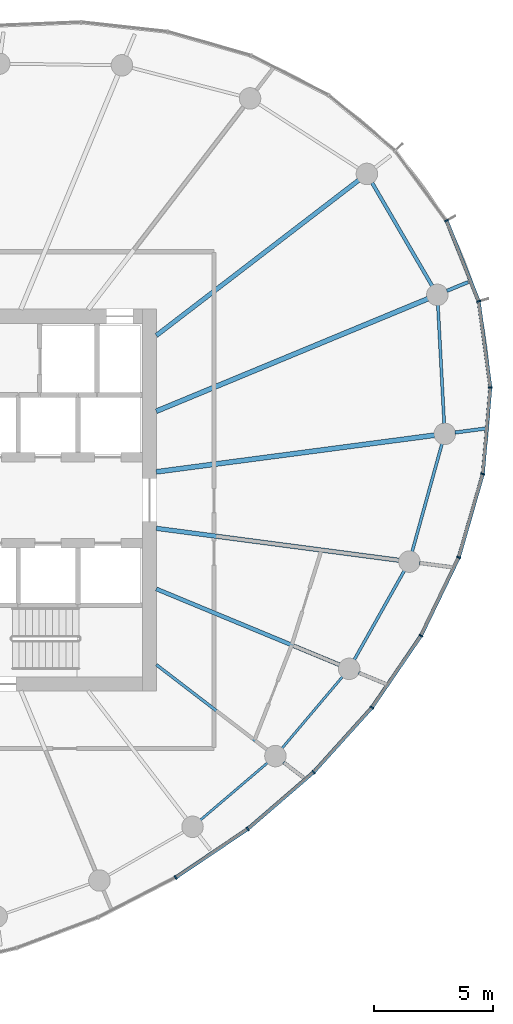
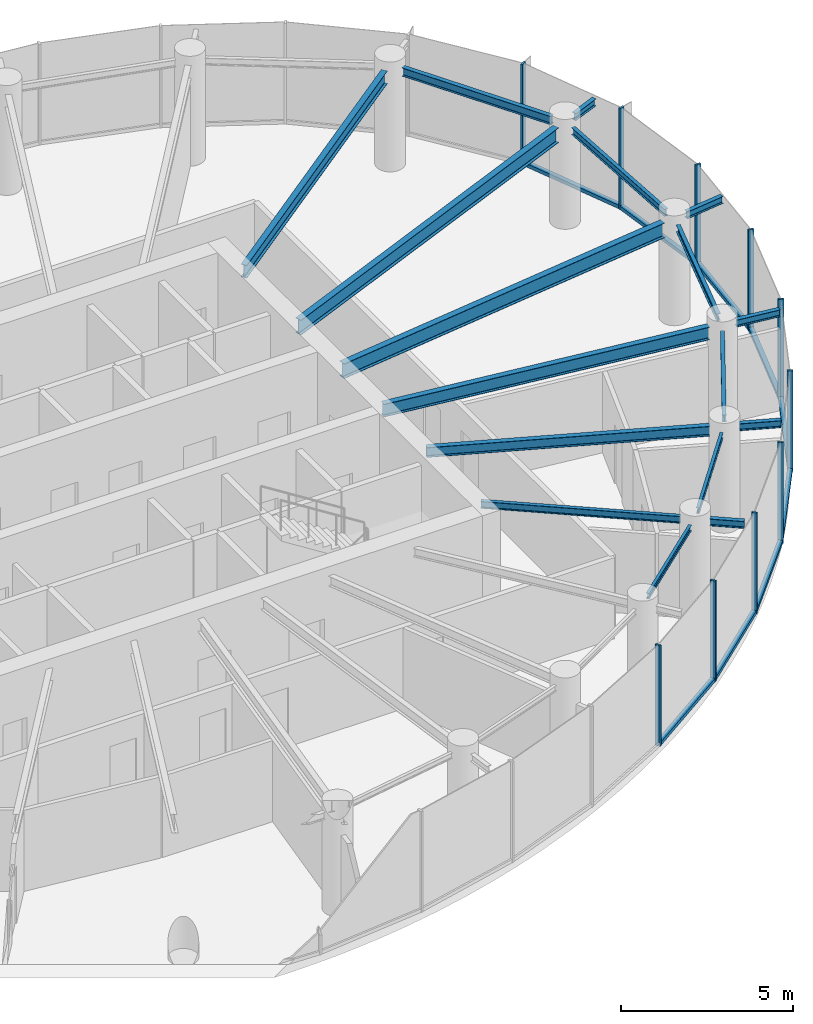
# One storey, part 5 of 13: 19 members, 17 beams, 3 elements without a shape of their own.
"""IFC4 building model written with IfcOpenShell, lengths in metres."""

from ifc_helpers import new_model, si_unit, direction, frame, origin, origin_2d, place, context, subcontext, project, spatial, rectangle, i_section, extrude, source, transform, mapped, material, layer, layer_set, material_profile, profile_set, type_object, element, aggregate, save


model = new_model("IFC4")

# Units and contexts
model_context = context("Model", 3, precision=1e-05, world=origin(), true_north=direction((0.0, 1.0)))
body_context = subcontext(model_context, "Body", "Model", "MODEL_VIEW")
ifc_project = project(units=[si_unit("LENGTHUNIT", "METRE"), si_unit("AREAUNIT", "SQUARE_METRE"), si_unit("VOLUMEUNIT", "CUBIC_METRE"), si_unit("PLANEANGLEUNIT", "RADIAN"), si_unit("MASSUNIT", "GRAM", prefix="KILO")], contexts=[model_context])

# Site, building, storey
site_placement = place(None, origin())
site = spatial("IfcSite", under=ifc_project, at=site_placement, CompositionType="ELEMENT")
building_placement = place(site_placement, origin())
building = spatial("IfcBuilding", under=site, at=building_placement, Name="Spindrift Exchange Tower", CompositionType="ELEMENT")
storey_placement = place(building_placement, frame((0.0, 0.0, 218.89990234375)))
storey = spatial("IfcBuildingStorey", under=building, at=storey_placement, Name="L53", CompositionType="ELEMENT", Elevation=218.89990234375)

# Beams
ifc_material_1 = material(Name="Steel Grade 300", Category="steel")
ifc_material_profile_1 = material_profile(ifc_material_1, i_section(OverallWidth=0.208984375, OverallDepth=0.528076171875, WebThickness=0.009521484375, FlangeThickness=0.01318359375, FilletRadius=0.013916015625, at=origin_2d()), Name="530UB82.0")
ifc_profile_set_1 = profile_set([ifc_material_profile_1], Name="Steel Grade 300")
beam_type_1 = type_object("IfcBeamType", Name="Floor Beam 530UB82.0 Steel Grade 300", PredefinedType="BEAM", material=ifc_profile_set_1)
shared_shape_1 = source(origin(), body_context, "Body", "SweptSolid", [
    extrude(i_section(OverallWidth=0.208984375, OverallDepth=0.528076171875, WebThickness=0.009521484375, FlangeThickness=0.01318359375, FilletRadius=0.013916015625, at=origin_2d()), origin(), (0.0, 0.0, 1.0), 11.75634765625),
])
beam_1_placement = place(storey_placement, frame((60.980224609375, 49.182373046875, 3.316162109375), z_axis=(0.991445811455, 0.13051897543, 0.0), x_axis=(-0.13051897543, 0.991445811455, 0.0)))
element("IfcBeam", 1, at=beam_1_placement, inside=storey, type_object=beam_type_1, Name="L53 radial beam R01A", PredefinedType="BEAM", context=body_context, shape_type="MappedRepresentation", body=[
    mapped(shared_shape_1, transform((0.0, 0.0, 0.0), scale=1.0)),
])
shared_shape_2 = source(origin(), body_context, "Body", "SweptSolid", [
    extrude(i_section(OverallWidth=0.208984375, OverallDepth=0.528076171875, WebThickness=0.009521484375, FlangeThickness=0.01318359375, FilletRadius=0.013916015625, at=origin_2d()), origin(), (0.0, 0.0, 1.0), 12.3115234375),
])
beam_2_placement = place(storey_placement, frame((60.9814453125, 51.72021484375, 3.316162109375), z_axis=(0.923878099838, 0.382686891126, 0.0), x_axis=(-0.382686891126, 0.923878099838, 0.0)))
element("IfcBeam", 2, at=beam_2_placement, inside=storey, type_object=beam_type_1, Name="L53 radial beam R02A", PredefinedType="BEAM", context=body_context, shape_type="MappedRepresentation", body=[
    mapped(shared_shape_2, transform((0.0, 0.0, 0.0), scale=1.0)),
])
ifc_material_profile_2 = material_profile(ifc_material_1, i_section(OverallWidth=0.18994140625, OverallDepth=0.4541015625, WebThickness=0.008544921875, FlangeThickness=0.0126953125, FilletRadius=0.013916015625, at=origin_2d()), Name="460UB67.1")
ifc_profile_set_2 = profile_set([ifc_material_profile_2], Name="Steel Grade 300")
beam_type_2 = type_object("IfcBeamType", Name="Floor Beam 460UB67.1 Steel Grade 300", PredefinedType="BEAM", material=ifc_profile_set_2)
shared_shape_3 = source(origin(), body_context, "Body", "SweptSolid", [
    extrude(i_section(OverallWidth=0.18994140625, OverallDepth=0.4541015625, WebThickness=0.008544921875, FlangeThickness=0.0126953125, FilletRadius=0.013916015625, at=origin_2d()), origin(), (0.0, 0.0, 1.0), 10.684814453125),
])
beam_3_placement = place(storey_placement, frame((60.984130859375, 54.893798828125, 3.35302734375), z_axis=(0.793357316898, 0.608756246559, 0.0), x_axis=(-0.608756246559, 0.793357316898, 0.0)))
element("IfcBeam", 3, at=beam_3_placement, inside=storey, type_object=beam_type_2, Name="L53 radial beam R03A", PredefinedType="BEAM", context=body_context, shape_type="MappedRepresentation", body=[
    mapped(shared_shape_3, transform((0.0, 0.0, 0.0), scale=1.0)),
])
ifc_material_profile_3 = material_profile(ifc_material_1, i_section(OverallWidth=0.1240234375, OverallDepth=0.248046875, WebThickness=0.0048828125, FlangeThickness=0.008056640625, FilletRadius=0.011962890625, at=origin_2d()), Name="250UB25.7")
ifc_profile_set_3 = profile_set([ifc_material_profile_3], Name="Steel Grade 300")
beam_type_3 = type_object("IfcBeamType", Name="Floor Beam 250UB25.7 Steel Grade 300", PredefinedType="BEAM", material=ifc_profile_set_3)
shared_shape_4 = source(origin(), body_context, "Body", "SweptSolid", [
    extrude(i_section(OverallWidth=0.1240234375, OverallDepth=0.248046875, WebThickness=0.0048828125, FlangeThickness=0.008056640625, FilletRadius=0.011962890625, at=origin_2d()), origin(), (0.0, 0.0, 1.0), 5.855712890625),
])
beam_4_placement = place(storey_placement, frame((60.984130859375, 41.106201171875, 3.4560546875), z_axis=(0.793362708479, -0.608749219954, 0.0), x_axis=(0.608749219954, 0.793362708479, 0.0)))
element("IfcBeam", 4, at=beam_4_placement, inside=storey, type_object=beam_type_3, Name="L53 radial beam R22A", PredefinedType="BEAM", context=body_context, shape_type="MappedRepresentation", body=[
    mapped(shared_shape_4, transform((0.0, 0.0, 0.0), scale=1.0)),
])
ifc_material_profile_4 = material_profile(ifc_material_1, i_section(OverallWidth=0.1708984375, OverallDepth=0.35205078125, WebThickness=0.0068359375, FlangeThickness=0.009765625, FilletRadius=0.013916015625, at=origin_2d()), Name="360UB44.7")
ifc_profile_set_4 = profile_set([ifc_material_profile_4], Name="Steel Grade 300")
beam_type_4 = type_object("IfcBeamType", Name="Floor Beam 360UB44.7 Steel Grade 300", PredefinedType="BEAM", material=ifc_profile_set_4)
shared_shape_5 = source(origin(), body_context, "Body", "SweptSolid", [
    extrude(i_section(OverallWidth=0.1708984375, OverallDepth=0.35205078125, WebThickness=0.0068359375, FlangeThickness=0.009765625, FilletRadius=0.013916015625, at=origin_2d()), origin(), (0.0, 0.0, 1.0), 8.3134765625),
])
beam_5_placement = place(storey_placement, frame((60.9814453125, 44.27978515625, 3.404052734375), z_axis=(0.923881179957, -0.382679455055, 0.0), x_axis=(0.382679455055, 0.923881179957, 0.0)))
element("IfcBeam", 5, at=beam_5_placement, inside=storey, type_object=beam_type_4, Name="L53 radial beam R23A", PredefinedType="BEAM", context=body_context, shape_type="MappedRepresentation", body=[
    mapped(shared_shape_5, transform((0.0, 0.0, 0.0), scale=1.0)),
])
shared_shape_6 = source(origin(), body_context, "Body", "SweptSolid", [
    extrude(i_section(OverallWidth=0.18994140625, OverallDepth=0.4541015625, WebThickness=0.008544921875, FlangeThickness=0.0126953125, FilletRadius=0.013916015625, at=origin_2d()), origin(), (0.0, 0.0, 1.0), 10.262451171875),
])
beam_6_placement = place(storey_placement, frame((60.980224609375, 46.817626953125, 3.35302734375), z_axis=(0.991446763371, -0.130511744304, 0.0), x_axis=(0.130511744304, 0.991446763371, 0.0)))
element("IfcBeam", 6, at=beam_6_placement, inside=storey, type_object=beam_type_2, Name="L53 radial beam R24A", PredefinedType="BEAM", context=body_context, shape_type="MappedRepresentation", body=[
    mapped(shared_shape_6, transform((0.0, 0.0, 0.0), scale=1.0)),
])
ifc_material_profile_5 = material_profile(ifc_material_1, i_section(OverallWidth=0.1240234375, OverallDepth=0.248046875, WebThickness=0.0048828125, FlangeThickness=0.008056640625, FilletRadius=0.011962890625, at=origin_2d()), Name="250UB25.7")
ifc_profile_set_5 = profile_set([ifc_material_profile_5], Name="Steel Grade 300")
beam_type_5 = type_object("IfcBeamType", Name="Edge Beam 250UB25.7 Steel Grade 300", PredefinedType="SPANDREL", material=ifc_profile_set_5)
shared_shape_7 = source(origin(), body_context, "Body", "SweptSolid", [
    extrude(i_section(OverallWidth=0.1240234375, OverallDepth=0.248046875, WebThickness=0.0048828125, FlangeThickness=0.008056640625, FilletRadius=0.011962890625, at=origin_2d()), origin(), (0.0, 0.0, 1.0), 4.971435546875),
])
beam_7_placement = place(storey_placement, frame((73.03955078125, 51.202392578125, 3.4560546875), z_axis=(-0.053038255124, 0.998592481192, 0.0), x_axis=(-0.998592481192, -0.053038255124, 0.0)))
element("IfcBeam", 7, at=beam_7_placement, inside=storey, type_object=beam_type_5, Name="L53 edge beam E01", PredefinedType="SPANDREL", context=body_context, shape_type="MappedRepresentation", body=[
    mapped(shared_shape_7, transform((0.0, 0.0, 0.0), scale=1.0)),
])
ifc_material_profile_6 = material_profile(ifc_material_1, i_section(OverallWidth=0.14892578125, OverallDepth=0.298095703125, WebThickness=0.005615234375, FlangeThickness=0.008056640625, FilletRadius=0.012939453125, at=origin_2d()), Name="310UB32.0")
ifc_profile_set_6 = profile_set([ifc_material_profile_6], Name="Steel Grade 300")
beam_type_6 = type_object("IfcBeamType", Name="Edge Beam 310UB32.0 Steel Grade 300", PredefinedType="SPANDREL", material=ifc_profile_set_6)
shared_shape_8 = source(origin(), body_context, "Body", "SweptSolid", [
    extrude(i_section(OverallWidth=0.14892578125, OverallDepth=0.298095703125, WebThickness=0.005615234375, FlangeThickness=0.008056640625, FilletRadius=0.012939453125, at=origin_2d()), origin(), (0.0, 0.0, 1.0), 5.0009765625),
])
beam_8_placement = place(storey_placement, frame((72.53662109375, 56.9677734375, 3.43115234375), z_axis=(-0.503512812094, 0.863987759205, 0.0), x_axis=(-0.863987759205, -0.503512812094, 0.0)))
element("IfcBeam", 8, at=beam_8_placement, inside=storey, type_object=beam_type_6, Name="L53 edge beam E02", PredefinedType="SPANDREL", context=body_context, shape_type="MappedRepresentation", body=[
    mapped(shared_shape_8, transform((0.0, 0.0, 0.0), scale=1.0)),
])
ifc_material_profile_7 = material_profile(ifc_material_1, i_section(OverallWidth=0.09912109375, OverallDepth=0.197998046875, WebThickness=0.00439453125, FlangeThickness=0.007080078125, FilletRadius=0.010986328125, at=origin_2d()), Name="200UB18.2")
ifc_profile_set_7 = profile_set([ifc_material_profile_7], Name="Steel Grade 300")
beam_type_7 = type_object("IfcBeamType", Name="Edge Beam 200UB18.2 Steel Grade 300", PredefinedType="SPANDREL", material=ifc_profile_set_7)
shared_shape_9 = source(origin(), body_context, "Body", "SweptSolid", [
    extrude(i_section(OverallWidth=0.09912109375, OverallDepth=0.197998046875, WebThickness=0.00439453125, FlangeThickness=0.007080078125, FilletRadius=0.010986328125, at=origin_2d()), origin(), (0.0, 0.0, 1.0), 3.703857421875),
])
beam_9_placement = place(storey_placement, frame((62.826416015625, 34.59619140625, 3.481201171875), z_axis=(0.7606692863, 0.64913961278, 0.0), x_axis=(-0.64913961278, 0.7606692863, 0.0)))
element("IfcBeam", 9, at=beam_9_placement, inside=storey, type_object=beam_type_7, Name="L53 edge beam E21", PredefinedType="SPANDREL", context=body_context, shape_type="MappedRepresentation", body=[
    mapped(shared_shape_9, transform((0.0, 0.0, 0.0), scale=1.0)),
])
shared_shape_10 = source(origin(), body_context, "Body", "SweptSolid", [
    extrude(i_section(OverallWidth=0.09912109375, OverallDepth=0.197998046875, WebThickness=0.00439453125, FlangeThickness=0.007080078125, FilletRadius=0.010986328125, at=origin_2d()), origin(), (0.0, 0.0, 1.0), 3.92431640625),
])
beam_10_placement = place(storey_placement, frame((66.24853515625, 37.608154296875, 3.481201171875), z_axis=(0.645498720032, 0.763761351757, 0.0), x_axis=(-0.763761351757, 0.645498720032, 0.0)))
element("IfcBeam", 10, at=beam_10_placement, inside=storey, type_object=beam_type_7, Name="L53 edge beam E22", PredefinedType="SPANDREL", context=body_context, shape_type="MappedRepresentation", body=[
    mapped(shared_shape_10, transform((0.0, 0.0, 0.0), scale=1.0)),
])
shared_shape_11 = source(origin(), body_context, "Body", "SweptSolid", [
    extrude(i_section(OverallWidth=0.1240234375, OverallDepth=0.248046875, WebThickness=0.0048828125, FlangeThickness=0.008056640625, FilletRadius=0.011962890625, at=origin_2d()), origin(), (0.0, 0.0, 1.0), 4.2880859375),
])
beam_11_placement = place(storey_placement, frame((69.27001953125, 41.30859375, 3.4560546875), z_axis=(0.489804347673, 0.871832381253, 0.0), x_axis=(-0.871832381253, 0.489804347673, 0.0)))
element("IfcBeam", 11, at=beam_11_placement, inside=storey, type_object=beam_type_5, Name="L53 edge beam E23", PredefinedType="SPANDREL", context=body_context, shape_type="MappedRepresentation", body=[
    mapped(shared_shape_11, transform((0.0, 0.0, 0.0), scale=1.0)),
])
shared_shape_12 = source(origin(), body_context, "Body", "SweptSolid", [
    extrude(i_section(OverallWidth=0.1240234375, OverallDepth=0.248046875, WebThickness=0.0048828125, FlangeThickness=0.008056640625, FilletRadius=0.011962890625, at=origin_2d()), origin(), (0.0, 0.0, 1.0), 4.69189453125),
])
beam_12_placement = place(storey_placement, frame((71.69580078125, 45.83642578125, 3.4560546875), z_axis=(0.266774248618, 0.963759046792, 0.0), x_axis=(-0.963759046792, 0.266774248618, 0.0)))
element("IfcBeam", 12, at=beam_12_placement, inside=storey, type_object=beam_type_5, Name="L53 edge beam E24", PredefinedType="SPANDREL", context=body_context, shape_type="MappedRepresentation", body=[
    mapped(shared_shape_12, transform((0.0, 0.0, 0.0), scale=1.0)),
])
ifc_material_profile_8 = material_profile(ifc_material_1, i_section(OverallWidth=0.14599609375, OverallDepth=0.251953125, WebThickness=0.006103515625, FlangeThickness=0.008544921875, FilletRadius=0.011962890625, at=origin_2d()), Name="250UB31.4")
ifc_profile_set_8 = profile_set([ifc_material_profile_8], Name="Steel Grade 300")
beam_type_8 = type_object("IfcBeamType", Name="Cantilever Beam 250UB31.4 Steel Grade 300", PredefinedType="BEAM", material=ifc_profile_set_8)
shared_shape_13 = source(origin(), body_context, "Body", "SweptSolid", [
    extrude(i_section(OverallWidth=0.14599609375, OverallDepth=0.251953125, WebThickness=0.006103515625, FlangeThickness=0.008544921875, FilletRadius=0.011962890625, at=origin_2d()), origin(), (0.0, 0.0, 1.0), 1.30615234375),
])
beam_13_placement = place(storey_placement, frame((73.488525390625, 50.8291015625, 3.4541015625), z_axis=(0.991451750421, 0.130473854034, 0.0), x_axis=(-0.130473854034, 0.991451750421, 0.0)))
element("IfcBeam", 13, at=beam_13_placement, inside=storey, type_object=beam_type_8, Name="L53 cantilever beam R01T", PredefinedType="BEAM", context=body_context, shape_type="MappedRepresentation", body=[
    mapped(shared_shape_13, transform((0.0, 0.0, 0.0), scale=1.0)),
])
shared_shape_14 = source(origin(), body_context, "Body", "SweptSolid", [
    extrude(i_section(OverallWidth=0.14599609375, OverallDepth=0.251953125, WebThickness=0.006103515625, FlangeThickness=0.008544921875, FilletRadius=0.011962890625, at=origin_2d()), origin(), (0.0, 0.0, 1.0), 0.96484375),
])
beam_14_placement = place(storey_placement, frame((73.150390625, 56.7607421875, 3.4541015625), z_axis=(0.923905808726, 0.382619989809, 0.0), x_axis=(-0.382619989809, 0.923905808726, 0.0)))
element("IfcBeam", 14, at=beam_14_placement, inside=storey, type_object=beam_type_8, Name="L53 cantilever beam R02T", PredefinedType="BEAM", context=body_context, shape_type="MappedRepresentation", body=[
    mapped(shared_shape_14, transform((0.0, 0.0, 0.0), scale=1.0)),
])
shared_shape_15 = source(origin(), body_context, "Body", "SweptSolid", [
    extrude(i_section(OverallWidth=0.14599609375, OverallDepth=0.251953125, WebThickness=0.006103515625, FlangeThickness=0.008544921875, FilletRadius=0.011962890625, at=origin_2d()), origin(), (0.0, 0.0, 1.0), 1.01123046875),
])
beam_15_placement = place(storey_placement, frame((66.31201171875, 37.017822265625, 3.4541015625), z_axis=(0.79349367014, -0.608578503932, 0.0), x_axis=(0.608578503932, 0.79349367014, 0.0)))
element("IfcBeam", 15, at=beam_15_placement, inside=storey, type_object=beam_type_8, Name="L53 cantilever beam R22T", PredefinedType="BEAM", context=body_context, shape_type="MappedRepresentation", body=[
    mapped(shared_shape_15, transform((0.0, 0.0, 0.0), scale=1.0)),
])
shared_shape_16 = source(origin(), body_context, "Body", "SweptSolid", [
    extrude(i_section(OverallWidth=0.14599609375, OverallDepth=0.251953125, WebThickness=0.006103515625, FlangeThickness=0.008544921875, FilletRadius=0.011962890625, at=origin_2d()), origin(), (0.0, 0.0, 1.0), 1.227783203125),
])
beam_16_placement = place(storey_placement, frame((69.456787109375, 40.769287109375, 3.4541015625), z_axis=(0.923839891605, -0.382779119961, 0.0), x_axis=(0.382779119961, 0.923839891605, 0.0)))
element("IfcBeam", 16, at=beam_16_placement, inside=storey, type_object=beam_type_8, Name="L53 cantilever beam R23T", PredefinedType="BEAM", context=body_context, shape_type="MappedRepresentation", body=[
    mapped(shared_shape_16, transform((0.0, 0.0, 0.0), scale=1.0)),
])
shared_shape_17 = source(origin(), body_context, "Body", "SweptSolid", [
    extrude(i_section(OverallWidth=0.14599609375, OverallDepth=0.251953125, WebThickness=0.006103515625, FlangeThickness=0.008544921875, FilletRadius=0.011962890625, at=origin_2d()), origin(), (0.0, 0.0, 1.0), 1.365478515625),
])
beam_17_placement = place(storey_placement, frame((72.00732421875, 45.365966796875, 3.4541015625), z_axis=(0.991445164464, -0.130523890002, 0.0), x_axis=(0.130523890002, 0.991445164464, 0.0)))
element("IfcBeam", 17, at=beam_17_placement, inside=storey, type_object=beam_type_8, Name="L53 cantilever beam R24T", PredefinedType="BEAM", context=body_context, shape_type="MappedRepresentation", body=[
    mapped(shared_shape_17, transform((0.0, 0.0, 0.0), scale=1.0)),
])

# Curtain wall, member
ifc_material_2 = material(Name="Fritted laminated glass with bronze frame", Category="glass")
ifc_layer = layer(ifc_material_2, 0.169921875)
ifc_layer_set = layer_set([ifc_layer], Name="ZONE 4 BRONZE FRITTED WALL")
curtain_wall_type = type_object("IfcCurtainWallType", Name="ZONE 4 BRONZE FRITTED WALL", PredefinedType="NOTDEFINED", material=ifc_layer_set)
curtain_wall_1_placement = place(storey_placement, origin())
curtain_wall_1 = element("IfcCurtainWall", 18, at=curtain_wall_1_placement, inside=storey, type_object=curtain_wall_type, Name="L53 Zone 4 Bronze Fritted Wall run 5", PredefinedType="NOTDEFINED")
ifc_material_3 = material(Name="Bronze anodised aluminium", Category="aluminium")
ifc_material_profile_9 = material_profile(ifc_material_3, rectangle(XDim=0.14990234375, YDim=0.125, at=origin_2d()), Name="ZONE 4 BRONZE FRITTED WALL TRANSOM 150X125")
ifc_profile_set_9 = profile_set([ifc_material_profile_9], Name="Bronze anodised aluminium")
member_type_1 = type_object("IfcMemberType", Name="ZONE 4 BRONZE FRITTED WALL TRANSOM 150X125", PredefinedType="USERDEFINED", material=ifc_profile_set_9)
shared_shape_18 = source(origin(), body_context, "Body", "SweptSolid", [
    extrude(rectangle(XDim=0.14990234375, YDim=0.125, at=origin_2d()), origin(), (0.0, 0.0, 1.0), 3.577880859375),
])
member_1_placement = place(storey_placement, frame((61.819091796875, 32.21142578125, 0.0625), z_axis=(0.829300112787, 0.558803474337, 0.0), x_axis=(-0.558803474337, 0.829300112787, 0.0)))
member_1 = element("IfcMember", 19, at=member_1_placement, type_object=member_type_1, Name="L53 transom CW-4.29", ObjectType="TRANSOM", PredefinedType="USERDEFINED", context=body_context, shape_type="MappedRepresentation", body=[
    mapped(shared_shape_18, transform((0.0, 0.0, 0.0), scale=1.0)),
])

curtain_wall_2_placement = place(storey_placement, origin())
curtain_wall_2 = element("IfcCurtainWall", 20, at=curtain_wall_2_placement, inside=storey, type_object=curtain_wall_type, Name="L53 Zone 4 Bronze Fritted Wall run 6", PredefinedType="NOTDEFINED")
shared_shape_19 = source(origin(), body_context, "Body", "SweptSolid", [
    extrude(rectangle(XDim=0.14990234375, YDim=0.125, at=origin_2d()), origin(), (0.0, 0.0, 1.0), 3.57666015625),
])
member_2_placement = place(storey_placement, frame((70.029541015625, 39.339599609375, 0.0625), z_axis=(0.564037713539, 0.82574902828, 0.0), x_axis=(-0.82574902828, 0.564037713539, 0.0)))
member_2 = element("IfcMember", 21, at=member_2_placement, type_object=member_type_1, Name="L53 transom CW-4.32", ObjectType="TRANSOM", PredefinedType="USERDEFINED", context=body_context, shape_type="MappedRepresentation", body=[
    mapped(shared_shape_19, transform((0.0, 0.0, 0.0), scale=1.0)),
])

# Member
shared_shape_20 = source(origin(), body_context, "Body", "SweptSolid", [
    extrude(rectangle(XDim=0.14990234375, YDim=0.125, at=origin_2d()), origin(), (0.0, 0.0, 1.0), 3.577392578125),
])
member_3_placement = place(storey_placement, frame((64.837646484375, 34.250244140625, 0.0625), z_axis=(0.757162023782, 0.653227119571, 0.0), x_axis=(-0.653227119571, 0.757162023782, 0.0)))
member_3 = element("IfcMember", 22, at=member_3_placement, type_object=member_type_1, Name="L53 transom CW-4.30", ObjectType="TRANSOM", PredefinedType="USERDEFINED", context=body_context, shape_type="MappedRepresentation", body=[
    mapped(shared_shape_20, transform((0.0, 0.0, 0.0), scale=1.0)),
])

member_4_placement = place(storey_placement, frame((67.5927734375, 36.632568359375, 0.0625), z_axis=(0.669903052238, 0.742448584484, 0.0), x_axis=(-0.742448584484, 0.669903052238, 0.0)))
member_4 = element("IfcMember", 23, at=member_4_placement, type_object=member_type_1, Name="L53 transom CW-4.31", ObjectType="TRANSOM", PredefinedType="USERDEFINED", context=body_context, shape_type="MappedRepresentation", body=[
    mapped(shared_shape_20, transform((0.0, 0.0, 0.0), scale=1.0)),
])

# Curtain wall, member
curtain_wall_3_placement = place(storey_placement, origin())
curtain_wall_3 = element("IfcCurtainWall", 24, at=curtain_wall_3_placement, inside=storey, type_object=curtain_wall_type, Name="L53 Zone 4 Bronze Fritted Wall run 1", PredefinedType="NOTDEFINED")
ifc_material_profile_10 = material_profile(ifc_material_3, rectangle(XDim=0.06494140625, YDim=0.169921875, at=origin_2d()), Name="ZONE 4 BRONZE FRITTED WALL MULLION 65X170")
ifc_profile_set_10 = profile_set([ifc_material_profile_10], Name="Bronze anodised aluminium")
member_type_2 = type_object("IfcMemberType", Name="ZONE 4 BRONZE FRITTED WALL MULLION 65X170", PredefinedType="MULLION", material=ifc_profile_set_10)
shared_shape_21 = source(origin(), body_context, "Body", "SweptSolid", [
    extrude(rectangle(XDim=0.06494140625, YDim=0.169921875, at=origin_2d()), origin(), (0.0, 0.0, 1.0), 3.580078125),
])
member_5_placement = place(storey_placement, frame((73.1376953125, 59.701904296875, 0.0), z_axis=(0.0, 0.0, 1.0), x_axis=(-0.484327119539, 0.874886987718, 0.0)))
member_5 = element("IfcMember", 25, at=member_5_placement, type_object=member_type_2, Name="L53 mullion CW-4.1", PredefinedType="MULLION", context=body_context, shape_type="MappedRepresentation", body=[
    mapped(shared_shape_21, transform((0.0, 0.0, 0.0), scale=1.0)),
])
aggregate(curtain_wall_3, [member_5])

# Member
member_6_placement = place(storey_placement, frame((61.7919921875, 32.193115234375, 0.0), z_axis=(0.0, 0.0, 1.0), x_axis=(0.860383429301, 0.509647284487, 0.0)))
member_6 = element("IfcMember", 26, at=member_6_placement, type_object=member_type_2, Name="L53 mullion CW-4.29", PredefinedType="MULLION", context=body_context, shape_type="MappedRepresentation", body=[
    mapped(shared_shape_21, transform((0.0, 0.0, 0.0), scale=1.0)),
])

member_7_placement = place(storey_placement, frame((64.81298828125, 34.22900390625, 0.0), z_axis=(0.0, 0.0, 1.0), x_axis=(0.79462496716, 0.607100618979, 0.0)))
member_7 = element("IfcMember", 27, at=member_7_placement, type_object=member_type_2, Name="L53 mullion CW-4.30", PredefinedType="MULLION", context=body_context, shape_type="MappedRepresentation", body=[
    mapped(shared_shape_21, transform((0.0, 0.0, 0.0), scale=1.0)),
])

aggregate(curtain_wall_1, [member_6, member_1, member_7, member_3])

member_8_placement = place(storey_placement, frame((67.571044921875, 36.6083984375, 0.0), z_axis=(0.0, 0.0, 1.0), x_axis=(0.714921354292, 0.699204874967, 0.0)))
member_8 = element("IfcMember", 28, at=member_8_placement, type_object=member_type_2, Name="L53 mullion CW-4.31", PredefinedType="MULLION", context=body_context, shape_type="MappedRepresentation", body=[
    mapped(shared_shape_21, transform((0.0, 0.0, 0.0), scale=1.0)),
])

member_9_placement = place(storey_placement, frame((70.010986328125, 39.312744140625, 0.0), z_axis=(0.0, 0.0, 1.0), x_axis=(0.618369524326, 0.785887480104, 0.0)))
member_9 = element("IfcMember", 29, at=member_9_placement, type_object=member_type_2, Name="L53 mullion CW-4.32", PredefinedType="MULLION", context=body_context, shape_type="MappedRepresentation", body=[
    mapped(shared_shape_21, transform((0.0, 0.0, 0.0), scale=1.0)),
])

member_10_placement = place(storey_placement, frame((72.065185546875, 42.31982421875, 0.0), z_axis=(0.0, 0.0, 1.0), x_axis=(0.500848456443, 0.865534992752, 0.0)))
member_10 = element("IfcMember", 30, at=member_10_placement, type_object=member_type_2, Name="L53 mullion CW-4.33", PredefinedType="MULLION", context=body_context, shape_type="MappedRepresentation", body=[
    mapped(shared_shape_21, transform((0.0, 0.0, 0.0), scale=1.0)),
])

member_11_placement = place(storey_placement, frame((73.648681640625, 45.5986328125, 0.0), z_axis=(0.0, 0.0, 1.0), x_axis=(0.357204027309, 0.934026382322, 0.0)))
member_11 = element("IfcMember", 31, at=member_11_placement, type_object=member_type_2, Name="L53 mullion CW-4.34", PredefinedType="MULLION", context=body_context, shape_type="MappedRepresentation", body=[
    mapped(shared_shape_21, transform((0.0, 0.0, 0.0), scale=1.0)),
])

member_12_placement = place(storey_placement, frame((74.65673828125, 49.09619140625, 0.0), z_axis=(0.0, 0.0, 1.0), x_axis=(0.182557342648, 0.983195207802, 0.0)))
member_12 = element("IfcMember", 32, at=member_12_placement, type_object=member_type_2, Name="L53 mullion CW-4.35", PredefinedType="MULLION", context=body_context, shape_type="MappedRepresentation", body=[
    mapped(shared_shape_21, transform((0.0, 0.0, 0.0), scale=1.0)),
])

member_13_placement = place(storey_placement, frame((74.97119140625, 52.720947265625, 0.0), z_axis=(0.0, 0.0, 1.0), x_axis=(-0.024149513846, 0.999708357963, 0.0)))
member_13 = element("IfcMember", 33, at=member_13_placement, type_object=member_type_2, Name="L53 mullion CW-4.36", PredefinedType="MULLION", context=body_context, shape_type="MappedRepresentation", body=[
    mapped(shared_shape_21, transform((0.0, 0.0, 0.0), scale=1.0)),
])

member_14_placement = place(storey_placement, frame((74.482421875, 56.324462890625, 0.0), z_axis=(0.0, 0.0, 1.0), x_axis=(-0.25406719627, 0.967186569272, 0.0)))
member_14 = element("IfcMember", 34, at=member_14_placement, type_object=member_type_2, Name="L53 mullion CW-4.37", PredefinedType="MULLION", context=body_context, shape_type="MappedRepresentation", body=[
    mapped(shared_shape_21, transform((0.0, 0.0, 0.0), scale=1.0)),
])

shared_shape_22 = source(origin(), body_context, "Body", "SweptSolid", [
    extrude(rectangle(XDim=0.14990234375, YDim=0.125, at=origin_2d()), origin(), (0.0, 0.0, 1.0), 3.5703125),
])
member_15_placement = place(storey_placement, frame((74.470458984375, 56.354736328125, 0.0625), z_axis=(-0.36995183042, 0.9290509368, 0.0), x_axis=(-0.9290509368, -0.36995183042, 0.0)))
member_15 = element("IfcMember", 35, at=member_15_placement, type_object=member_type_1, Name="L53 transom CW-4.37", ObjectType="TRANSOM", PredefinedType="USERDEFINED", context=body_context, shape_type="MappedRepresentation", body=[
    mapped(shared_shape_22, transform((0.0, 0.0, 0.0), scale=1.0)),
])

shared_shape_23 = source(origin(), body_context, "Body", "SweptSolid", [
    extrude(rectangle(XDim=0.14990234375, YDim=0.125, at=origin_2d()), origin(), (0.0, 0.0, 1.0), 3.571533203125),
])
member_16_placement = place(storey_placement, frame((74.966796875, 52.753173828125, 0.0625), z_axis=(-0.134393253248, 0.990928076846, 0.0), x_axis=(-0.990928076846, -0.134393253248, 0.0)))
member_16 = element("IfcMember", 36, at=member_16_placement, type_object=member_type_1, Name="L53 transom CW-4.36", ObjectType="TRANSOM", PredefinedType="USERDEFINED", context=body_context, shape_type="MappedRepresentation", body=[
    mapped(shared_shape_23, transform((0.0, 0.0, 0.0), scale=1.0)),
])

shared_shape_24 = source(origin(), body_context, "Body", "SweptSolid", [
    extrude(rectangle(XDim=0.14990234375, YDim=0.125, at=origin_2d()), origin(), (0.0, 0.0, 1.0), 3.574951171875),
])
member_17_placement = place(storey_placement, frame((73.65771484375, 45.6298828125, 0.0625), z_axis=(0.276930277986, 0.960890015108, 0.0), x_axis=(-0.960890015108, 0.276930277986, 0.0)))
member_17 = element("IfcMember", 37, at=member_17_placement, type_object=member_type_1, Name="L53 transom CW-4.34", ObjectType="TRANSOM", PredefinedType="USERDEFINED", context=body_context, shape_type="MappedRepresentation", body=[
    mapped(shared_shape_24, transform((0.0, 0.0, 0.0), scale=1.0)),
])

shared_shape_25 = source(origin(), body_context, "Body", "SweptSolid", [
    extrude(rectangle(XDim=0.14990234375, YDim=0.125, at=origin_2d()), origin(), (0.0, 0.0, 1.0), 3.576171875),
])
member_18_placement = place(storey_placement, frame((72.079345703125, 42.34912109375, 0.0625), z_axis=(0.434882705204, 0.900487108578, 0.0), x_axis=(-0.900487108578, 0.434882705204, 0.0)))
member_18 = element("IfcMember", 38, at=member_18_placement, type_object=member_type_1, Name="L53 transom CW-4.33", ObjectType="TRANSOM", PredefinedType="USERDEFINED", context=body_context, shape_type="MappedRepresentation", body=[
    mapped(shared_shape_25, transform((0.0, 0.0, 0.0), scale=1.0)),
])

shared_shape_26 = source(origin(), body_context, "Body", "SweptSolid", [
    extrude(rectangle(XDim=0.14990234375, YDim=0.125, at=origin_2d()), origin(), (0.0, 0.0, 1.0), 3.573486328125),
])
member_19_placement = place(storey_placement, frame((74.65966796875, 49.128662109375, 0.0625), z_axis=(0.08642618945, 0.996258256567, 0.0), x_axis=(-0.996258256567, 0.08642618945, 0.0)))
member_19 = element("IfcMember", 39, at=member_19_placement, type_object=member_type_1, Name="L53 transom CW-4.35", ObjectType="TRANSOM", PredefinedType="USERDEFINED", context=body_context, shape_type="MappedRepresentation", body=[
    mapped(shared_shape_26, transform((0.0, 0.0, 0.0), scale=1.0)),
])

aggregate(curtain_wall_2, [member_8, member_4, member_9, member_2, member_10, member_18, member_11, member_17, member_12, member_19, member_13, member_16, member_14, member_15])

save(model, "model.ifc")
